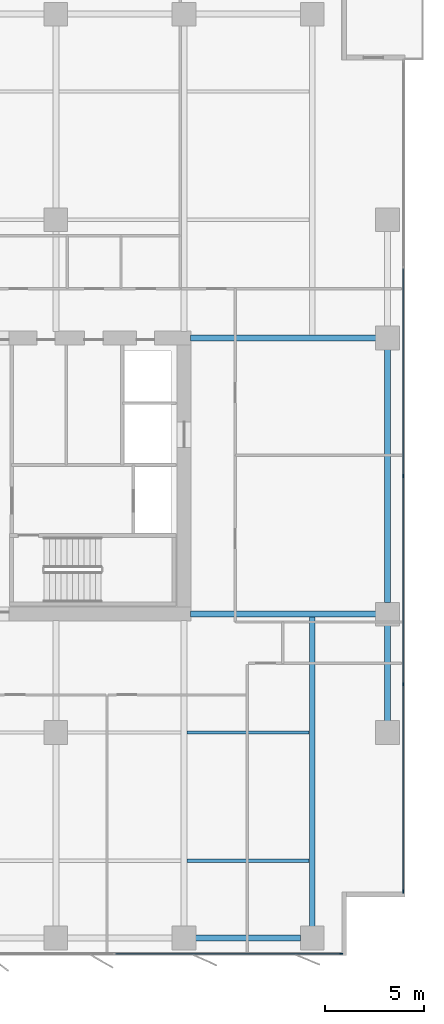
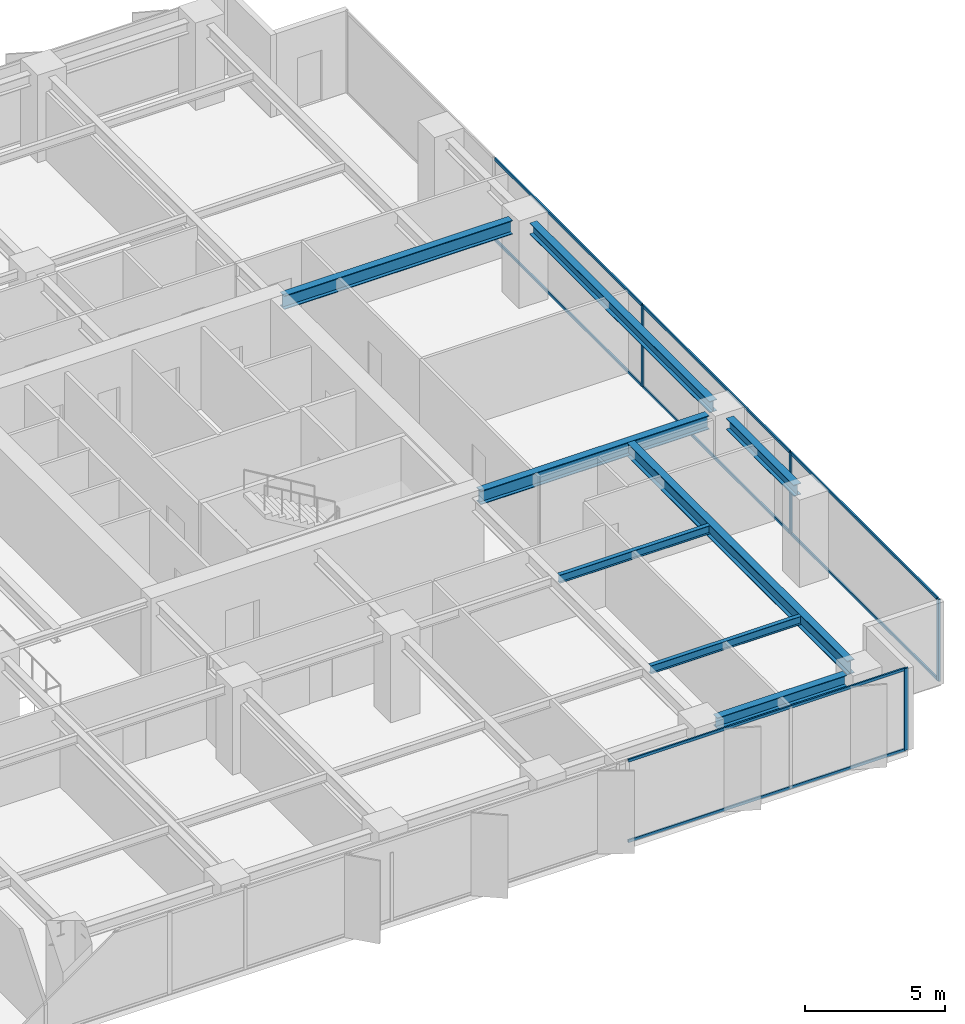
# One storey, part 10 of 20: 12 members, 8 beams, 2 elements without a shape of their own.
"""IFC4 building model written with IfcOpenShell, lengths in metres."""

from ifc_helpers import new_model, si_unit, direction, frame, origin, origin_2d, place, context, subcontext, project, spatial, rectangle, i_section, extrude, material, layer, layer_set, material_profile, profile_set, type_object, element, aggregate, save


model = new_model("IFC4")

# Units and contexts
model_context = context("Model", 3, precision=1e-05, world=origin(), true_north=direction((0.0, 1.0)))
body_context = subcontext(model_context, "Body", "Model", "MODEL_VIEW")
ifc_project = project(units=[si_unit("LENGTHUNIT", "METRE"), si_unit("AREAUNIT", "SQUARE_METRE"), si_unit("VOLUMEUNIT", "CUBIC_METRE"), si_unit("PLANEANGLEUNIT", "RADIAN"), si_unit("MASSUNIT", "GRAM", prefix="KILO")], contexts=[model_context])

# Site, building, storey
site_placement = place(None, origin())
site = spatial("IfcSite", under=ifc_project, at=site_placement, CompositionType="ELEMENT")
building_placement = place(site_placement, origin())
building = spatial("IfcBuilding", under=site, at=building_placement, Name="Putna Gate Headquarters", CompositionType="ELEMENT")
storey_placement = place(building_placement, frame((0.0, 0.0, 131.60009765625)))
storey = spatial("IfcBuildingStorey", under=building, at=storey_placement, Name="L32", CompositionType="ELEMENT", Elevation=131.60009765625)

# Beams
ifc_material_1 = material(Name="Steel S355J2", Category="steel")
ifc_material_profile_1 = material_profile(ifc_material_1, i_section(OverallWidth=0.300048828125, OverallDepth=0.60009765625, WebThickness=0.015380859375, FlangeThickness=0.030029296875, at=origin_2d()), Name="Steel S355J2")
ifc_profile_set_1 = profile_set([ifc_material_profile_1], Name="Steel S355J2")
beam_type_1 = type_object("IfcBeamType", Name="BM-GIRD-Z2-HEB600", PredefinedType="USERDEFINED", material=ifc_profile_set_1)
for number, where, z_axis, x_axis, name in (
    (1, (65.3349609375, 19.0, 3.264892578125), (1.0, 0.0, 0.0), (0.0, 1.0, 0.0), "L32 East Wing Girder Y19"),
    (2, (65.3349609375, 33.0, 3.264892578125), (1.0, 0.0, 0.0), (0.0, 1.0, 0.0), "L32 East Wing Girder Y33"),
):
    element("IfcBeam", number, at=place(storey_placement, frame(where, z_axis=z_axis, x_axis=x_axis)), inside=storey, type_object=beam_type_1, Name=name, ObjectType="GIRDER", PredefinedType="USERDEFINED", context=body_context, shape_type="SweptSolid", body=[
        extrude(i_section(OverallWidth=0.300048828125, OverallDepth=0.60009765625, WebThickness=0.015380859375, FlangeThickness=0.030029296875, at=origin_2d()), origin(), (0.0, 0.0, 1.0), 9.39697265625),
    ])
beam_1_placement = place(storey_placement, frame((71.5, 3.16796875, 3.264892578125), z_axis=(0.0, 1.0, 0.0), x_axis=(-1.0, 0.0, 0.0)))
element("IfcBeam", 3, at=beam_1_placement, inside=storey, type_object=beam_type_1, Name="L32 South Primary Girder X71", ObjectType="GIRDER", PredefinedType="USERDEFINED", context=body_context, shape_type="SweptSolid", body=[
    extrude(i_section(OverallWidth=0.300048828125, OverallDepth=0.60009765625, WebThickness=0.015380859375, FlangeThickness=0.030029296875, at=origin_2d()), origin(), (0.0, 0.0, 1.0), 15.820068359375),
])
ifc_material_profile_2 = material_profile(ifc_material_1, i_section(OverallWidth=0.169921875, OverallDepth=0.360107421875, WebThickness=0.008056640625, FlangeThickness=0.0126953125, at=origin_2d()), Name="Steel S355J2")
ifc_profile_set_2 = profile_set([ifc_material_profile_2], Name="Steel S355J2")
beam_type_2 = type_object("IfcBeamType", Name="BM-SEC-Z2-IPE360", PredefinedType="BEAM", material=ifc_profile_set_2)
for number, where, z_axis, x_axis, name in (
    (4, (65.154052734375, 6.5, 3.385009765625), (1.0, 0.0, 0.0), (0.0, 1.0, 0.0), "L32 South Secondary Beam 10"),
    (5, (65.154052734375, 13.0, 3.385009765625), (1.0, 0.0, 0.0), (0.0, 1.0, 0.0), "L32 South Secondary Beam 10"),
):
    element("IfcBeam", number, at=place(storey_placement, frame(where, z_axis=z_axis, x_axis=x_axis)), inside=storey, type_object=beam_type_2, Name=name, PredefinedType="BEAM", context=body_context, shape_type="SweptSolid", body=[
        extrude(i_section(OverallWidth=0.169921875, OverallDepth=0.360107421875, WebThickness=0.008056640625, FlangeThickness=0.0126953125, at=origin_2d()), origin(), (0.0, 0.0, 1.0), 6.19189453125),
    ])
ifc_material_profile_3 = material_profile(ifc_material_1, i_section(OverallWidth=0.300048828125, OverallDepth=0.489990234375, WebThickness=0.011962890625, FlangeThickness=0.02294921875, at=origin_2d()), Name="Steel S355J2")
ifc_profile_set_3 = profile_set([ifc_material_profile_3], Name="Steel S355J2")
beam_type_3 = type_object("IfcBeamType", Name="BM-SPAN-Z2-HEA500", PredefinedType="SPANDREL", material=ifc_profile_set_3)
beam_2_placement = place(storey_placement, frame((65.587890625, 2.580078125, 3.31982421875), z_axis=(1.0, 0.0, 0.0), x_axis=(0.0, 1.0, 0.0)))
element("IfcBeam", 6, at=beam_2_placement, inside=storey, type_object=beam_type_3, Name="L32 S Perimeter Spandrel 10", PredefinedType="SPANDREL", context=body_context, shape_type="SweptSolid", body=[
    extrude(i_section(OverallWidth=0.300048828125, OverallDepth=0.489990234375, WebThickness=0.011962890625, FlangeThickness=0.02294921875, at=origin_2d()), origin(), (0.0, 0.0, 1.0), 5.32421875),
])
beam_3_placement = place(storey_placement, frame((75.320068359375, 13.587890625, 3.31982421875), z_axis=(0.0, 1.0, 0.0), x_axis=(-1.0, 0.0, 0.0)))
element("IfcBeam", 7, at=beam_3_placement, inside=storey, type_object=beam_type_3, Name="L32 E End Spandrel 1", PredefinedType="SPANDREL", context=body_context, shape_type="SweptSolid", body=[
    extrude(i_section(OverallWidth=0.300048828125, OverallDepth=0.489990234375, WebThickness=0.011962890625, FlangeThickness=0.02294921875, at=origin_2d()), origin(), (0.0, 0.0, 1.0), 4.82421875),
])
beam_4_placement = place(storey_placement, frame((75.320068359375, 19.587890625, 3.31982421875), z_axis=(0.0, 1.0, 0.0), x_axis=(-1.0, 0.0, 0.0)))
element("IfcBeam", 8, at=beam_4_placement, inside=storey, type_object=beam_type_3, Name="L32 E End Spandrel 2", PredefinedType="SPANDREL", context=body_context, shape_type="SweptSolid", body=[
    extrude(i_section(OverallWidth=0.300048828125, OverallDepth=0.489990234375, WebThickness=0.011962890625, FlangeThickness=0.02294921875, at=origin_2d()), origin(), (0.0, 0.0, 1.0), 12.82421875),
])

# Curtain wall, member
ifc_material_2 = material(Name="Anodised bronze aluminium curtain wall", Category="aluminium")
ifc_layer = layer(ifc_material_2, 0.159912109375)
ifc_layer_set = layer_set([ifc_layer], Name="Anodised bronze aluminium curtain wall")
curtain_wall_type = type_object("IfcCurtainWallType", Name="CW-SYS-Z2", PredefinedType="USERDEFINED", material=ifc_layer_set)
curtain_wall_1_placement = place(storey_placement, origin())
curtain_wall_1 = element("IfcCurtainWall", 9, at=curtain_wall_1_placement, inside=storey, type_object=curtain_wall_type, Name="L32 South East Curtain Wall", ObjectType="STICK CURTAIN WALL", PredefinedType="USERDEFINED")
ifc_material_3 = material(Name="Anodised bronze aluminium EN AW-6060", Category="aluminium")
ifc_material_profile_4 = material_profile(ifc_material_3, rectangle(XDim=0.06494140625, YDim=0.159912109375, at=origin_2d()), Name="Anodised bronze aluminium EN AW-6060")
ifc_profile_set_4 = profile_set([ifc_material_profile_4], Name="Anodised bronze aluminium EN AW-6060")
member_type_1 = type_object("IfcMemberType", Name="MULL-CWM-2", PredefinedType="MULLION", material=ifc_profile_set_4)
member_1_placement = place(storey_placement, frame((72.967529296875, 1.780029296875, 0.0), z_axis=(0.0, 0.0, 1.0), x_axis=(0.0, 1.0, 0.0)))
member_1 = element("IfcMember", 10, at=member_1_placement, type_object=member_type_1, Name="CWS-2 mullion 3", PredefinedType="MULLION", context=body_context, shape_type="SweptSolid", body=[
    extrude(rectangle(XDim=0.06494140625, YDim=0.159912109375, at=origin_2d()), origin(), (0.0, 0.0, 1.0), 3.56494140625),
])

# Curtain wall, members
curtain_wall_2_placement = place(storey_placement, origin())
curtain_wall_2 = element("IfcCurtainWall", 11, at=curtain_wall_2_placement, inside=storey, type_object=curtain_wall_type, Name="L32 East Curtain Wall", ObjectType="STICK CURTAIN WALL", PredefinedType="USERDEFINED")
member_2_placement = place(storey_placement, frame((76.1201171875, 4.9326171875, 0.0), z_axis=(0.0, 0.0, 1.0), x_axis=(-1.0, 0.0, 0.0)))
member_2 = element("IfcMember", 12, at=member_2_placement, type_object=member_type_1, Name="CWS-2 mullion 1", PredefinedType="MULLION", context=body_context, shape_type="SweptSolid", body=[
    extrude(rectangle(XDim=0.06494140625, YDim=0.159912109375, at=origin_2d()), origin(), (0.0, 0.0, 1.0), 3.56494140625),
])
member_3_placement = place(storey_placement, frame((76.1201171875, 15.449951171875, 0.0), z_axis=(0.0, 0.0, 1.0), x_axis=(-1.0, 0.0, 0.0)))
member_3 = element("IfcMember", 13, at=member_3_placement, type_object=member_type_1, Name="CWS-2 mullion 2", PredefinedType="MULLION", context=body_context, shape_type="SweptSolid", body=[
    extrude(rectangle(XDim=0.06494140625, YDim=0.159912109375, at=origin_2d()), origin(), (0.0, 0.0, 1.0), 3.56494140625),
])
member_4_placement = place(storey_placement, frame((76.1201171875, 26.0, 0.0), z_axis=(0.0, 0.0, 1.0), x_axis=(-1.0, 0.0, 0.0)))
member_4 = element("IfcMember", 14, at=member_4_placement, type_object=member_type_1, Name="CWS-2 mullion 3", PredefinedType="MULLION", context=body_context, shape_type="SweptSolid", body=[
    extrude(rectangle(XDim=0.06494140625, YDim=0.159912109375, at=origin_2d()), origin(), (0.0, 0.0, 1.0), 3.56494140625),
])

# Member
ifc_material_profile_5 = material_profile(ifc_material_3, rectangle(XDim=0.06494140625, YDim=0.1201171875, at=origin_2d()), Name="Anodised bronze aluminium EN AW-6060")
ifc_profile_set_5 = profile_set([ifc_material_profile_5], Name="Anodised bronze aluminium EN AW-6060")
member_type_2 = type_object("IfcMemberType", Name="TRAN-CWT-2", PredefinedType="USERDEFINED", material=ifc_profile_set_5)
member_5_placement = place(storey_placement, frame((61.532470703125, 1.780029296875, 0.032470703125), z_axis=(1.0, 0.0, 0.0), x_axis=(0.0, 1.0, 0.0)))
member_5 = element("IfcMember", 15, at=member_5_placement, type_object=member_type_2, Name="CWS-2 transom 2.1", ObjectType="TRANSOM", PredefinedType="USERDEFINED", context=body_context, shape_type="SweptSolid", body=[
    extrude(rectangle(XDim=0.06494140625, YDim=0.1201171875, at=origin_2d()), origin(), (0.0, 0.0, 1.0), 11.402587890625),
])

member_6_placement = place(storey_placement, frame((61.532470703125, 1.780029296875, 3.532470703125), z_axis=(1.0, 0.0, 0.0), x_axis=(0.0, 1.0, 0.0)))
member_6 = element("IfcMember", 16, at=member_6_placement, type_object=member_type_2, Name="CWS-2 transom 2.2", ObjectType="TRANSOM", PredefinedType="USERDEFINED", context=body_context, shape_type="SweptSolid", body=[
    extrude(rectangle(XDim=0.06494140625, YDim=0.1201171875, at=origin_2d()), origin(), (0.0, 0.0, 1.0), 11.402587890625),
])

aggregate(curtain_wall_1, [member_1, member_5, member_6])

member_7_placement = place(storey_placement, frame((76.1201171875, 4.965087890625, 0.032470703125), z_axis=(0.0, 1.0, 0.0), x_axis=(-1.0, 0.0, 0.0)))
member_7 = element("IfcMember", 17, at=member_7_placement, type_object=member_type_2, Name="CWS-2 transom 1.1", ObjectType="TRANSOM", PredefinedType="USERDEFINED", context=body_context, shape_type="SweptSolid", body=[
    extrude(rectangle(XDim=0.06494140625, YDim=0.1201171875, at=origin_2d()), origin(), (0.0, 0.0, 1.0), 10.452392578125),
])

member_8_placement = place(storey_placement, frame((76.1201171875, 4.965087890625, 3.532470703125), z_axis=(0.0, 1.0, 0.0), x_axis=(-1.0, 0.0, 0.0)))
member_8 = element("IfcMember", 18, at=member_8_placement, type_object=member_type_2, Name="CWS-2 transom 1.2", ObjectType="TRANSOM", PredefinedType="USERDEFINED", context=body_context, shape_type="SweptSolid", body=[
    extrude(rectangle(XDim=0.06494140625, YDim=0.1201171875, at=origin_2d()), origin(), (0.0, 0.0, 1.0), 10.452392578125),
])

member_9_placement = place(storey_placement, frame((76.1201171875, 15.482421875, 0.032470703125), z_axis=(0.0, 1.0, 0.0), x_axis=(-1.0, 0.0, 0.0)))
member_9 = element("IfcMember", 19, at=member_9_placement, type_object=member_type_2, Name="CWS-2 transom 2.1", ObjectType="TRANSOM", PredefinedType="USERDEFINED", context=body_context, shape_type="SweptSolid", body=[
    extrude(rectangle(XDim=0.06494140625, YDim=0.1201171875, at=origin_2d()), origin(), (0.0, 0.0, 1.0), 10.485107421875),
])

member_10_placement = place(storey_placement, frame((76.1201171875, 15.482421875, 3.532470703125), z_axis=(0.0, 1.0, 0.0), x_axis=(-1.0, 0.0, 0.0)))
member_10 = element("IfcMember", 20, at=member_10_placement, type_object=member_type_2, Name="CWS-2 transom 2.2", ObjectType="TRANSOM", PredefinedType="USERDEFINED", context=body_context, shape_type="SweptSolid", body=[
    extrude(rectangle(XDim=0.06494140625, YDim=0.1201171875, at=origin_2d()), origin(), (0.0, 0.0, 1.0), 10.485107421875),
])

member_11_placement = place(storey_placement, frame((76.1201171875, 26.032470703125, 0.032470703125), z_axis=(0.0, 1.0, 0.0), x_axis=(-1.0, 0.0, 0.0)))
member_11 = element("IfcMember", 21, at=member_11_placement, type_object=member_type_2, Name="CWS-2 transom 3.1", ObjectType="TRANSOM", PredefinedType="USERDEFINED", context=body_context, shape_type="SweptSolid", body=[
    extrude(rectangle(XDim=0.06494140625, YDim=0.1201171875, at=origin_2d()), origin(), (0.0, 0.0, 1.0), 10.485107421875),
])

member_12_placement = place(storey_placement, frame((76.1201171875, 26.032470703125, 3.532470703125), z_axis=(0.0, 1.0, 0.0), x_axis=(-1.0, 0.0, 0.0)))
member_12 = element("IfcMember", 22, at=member_12_placement, type_object=member_type_2, Name="CWS-2 transom 3.2", ObjectType="TRANSOM", PredefinedType="USERDEFINED", context=body_context, shape_type="SweptSolid", body=[
    extrude(rectangle(XDim=0.06494140625, YDim=0.1201171875, at=origin_2d()), origin(), (0.0, 0.0, 1.0), 10.485107421875),
])

aggregate(curtain_wall_2, [member_2, member_3, member_4, member_7, member_8, member_9, member_10, member_11, member_12])

save(model, "model.ifc")
